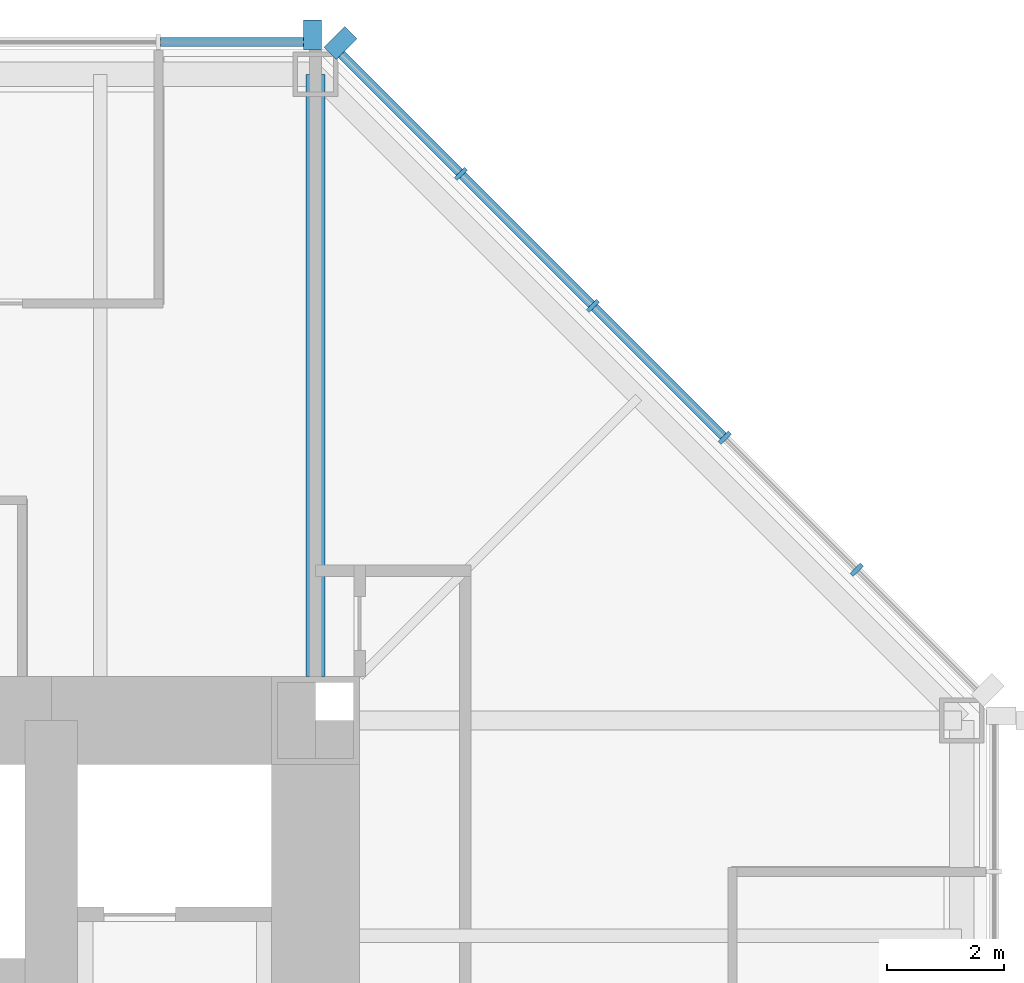
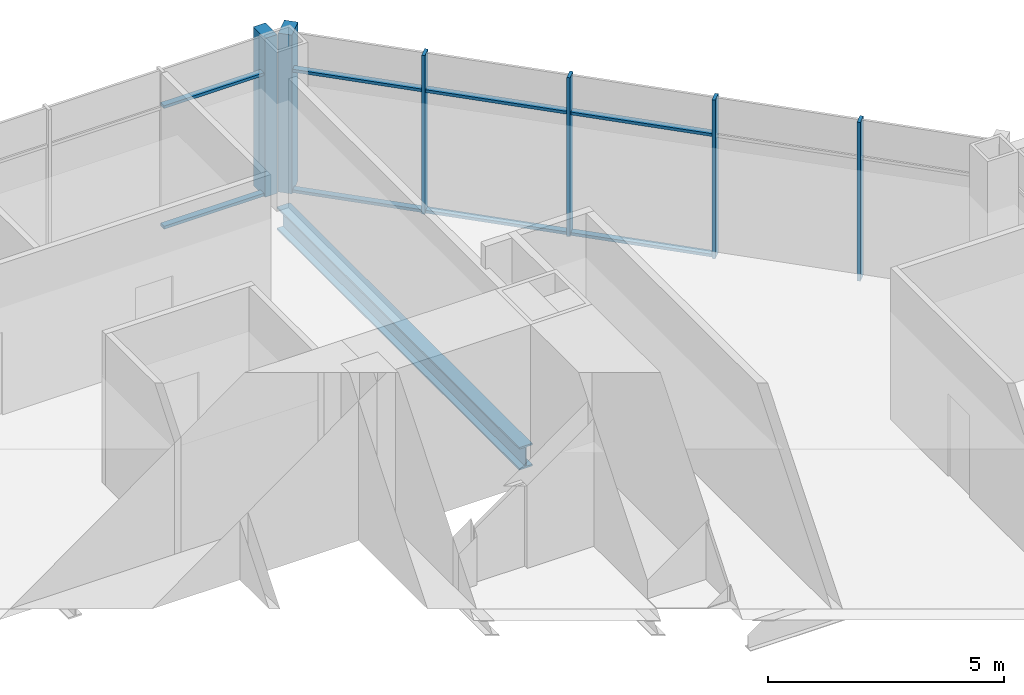
# One storey, part 6 of 12: 14 members, 1 beam, 2 elements without a shape of their own.
"""IFC4 building model written with IfcOpenShell, lengths in metres."""

from ifc_helpers import new_model, si_unit, direction, frame, origin, origin_2d, place, context, subcontext, project, spatial, rectangle, i_section, extrude, material, material_profile, profile_set, type_object, element, aggregate, save


model = new_model("IFC4")

# Units and contexts
model_context = context("Model", 3, precision=1e-05, world=origin(), true_north=direction((0.0, 1.0)))
body_context = subcontext(model_context, "Body", "Model", "MODEL_VIEW")
ifc_project = project(units=[si_unit("LENGTHUNIT", "METRE"), si_unit("AREAUNIT", "SQUARE_METRE"), si_unit("VOLUMEUNIT", "CUBIC_METRE"), si_unit("PLANEANGLEUNIT", "RADIAN"), si_unit("MASSUNIT", "GRAM", prefix="KILO")], contexts=[model_context])

# Site, building, storey
site_placement = place(None, origin())
site = spatial("IfcSite", under=ifc_project, at=site_placement, CompositionType="ELEMENT")
building_placement = place(site_placement, origin())
building = spatial("IfcBuilding", under=site, at=building_placement, Name="Trevanion Tower", CompositionType="ELEMENT")
storey_placement = place(building_placement, frame((0.0, 0.0, 125.39990234375)))
storey = spatial("IfcBuildingStorey", under=building, at=storey_placement, Name="L29", CompositionType="ELEMENT", Elevation=125.39990234375)

# Curtain wall, members
ifc_material_1 = material(Name="Aluminium and glass", Category="aluminium")
curtain_wall_type = type_object("IfcCurtainWallType", Name="CW2 curtain wall", PredefinedType="USERDEFINED", material=ifc_material_1)
curtain_wall_1_placement = place(storey_placement, origin())
curtain_wall_1 = element("IfcCurtainWall", 1, at=curtain_wall_1_placement, inside=storey, type_object=curtain_wall_type, Name="CW2 L29 1", ObjectType="UNITISED CURTAIN WALL", PredefinedType="USERDEFINED")
ifc_material_2 = material(Name="Aluminium extrusion, anodised bronze", Category="aluminium")
ifc_material_profile_1 = material_profile(ifc_material_2, rectangle(XDim=0.074951171875, YDim=0.25, at=origin_2d()), Name="CW2 mullion")
ifc_profile_set_1 = profile_set([ifc_material_profile_1], Name="Aluminium extrusion, anodised bronze")
member_type_1 = type_object("IfcMemberType", Name="CW2 mullion", PredefinedType="MULLION", material=ifc_profile_set_1)
member_1_placement = place(storey_placement, frame((20.2119140625, 13.56591796875, -0.18994140625), z_axis=(0.0, 0.0, 1.0), x_axis=(-0.707106781187, 0.707106781187, 0.0)))
member_1 = element("IfcMember", 2, at=member_1_placement, type_object=member_type_1, Name="CW2 mullion 2", PredefinedType="MULLION", context=body_context, shape_type="SweptSolid", body=[
    extrude(rectangle(XDim=0.074951171875, YDim=0.25, at=origin_2d()), origin(), (0.0, 0.0, 1.0), 4.10009765625),
])
member_2_placement = place(storey_placement, frame((17.966064453125, 15.811767578125, -0.18994140625), z_axis=(0.0, 0.0, 1.0), x_axis=(-0.707106781187, 0.707106781187, 0.0)))
member_2 = element("IfcMember", 3, at=member_2_placement, type_object=member_type_1, Name="CW2 mullion 3", PredefinedType="MULLION", context=body_context, shape_type="SweptSolid", body=[
    extrude(rectangle(XDim=0.074951171875, YDim=0.25, at=origin_2d()), origin(), (0.0, 0.0, 1.0), 4.10009765625),
])
member_3_placement = place(storey_placement, frame((15.719970703125, 18.057861328125, -0.18994140625), z_axis=(0.0, 0.0, 1.0), x_axis=(-0.707106781187, 0.707106781187, 0.0)))
member_3 = element("IfcMember", 4, at=member_3_placement, type_object=member_type_1, Name="CW2 mullion 4", PredefinedType="MULLION", context=body_context, shape_type="SweptSolid", body=[
    extrude(rectangle(XDim=0.074951171875, YDim=0.25, at=origin_2d()), origin(), (0.0, 0.0, 1.0), 4.10009765625),
])
member_4_placement = place(storey_placement, frame((13.473876953125, 20.303955078125, -0.18994140625), z_axis=(0.0, 0.0, 1.0), x_axis=(-0.707106781187, 0.707106781187, 0.0)))
member_4 = element("IfcMember", 5, at=member_4_placement, type_object=member_type_1, Name="CW2 mullion 5", PredefinedType="MULLION", context=body_context, shape_type="SweptSolid", body=[
    extrude(rectangle(XDim=0.074951171875, YDim=0.25, at=origin_2d()), origin(), (0.0, 0.0, 1.0), 4.10009765625),
])
ifc_material_3 = material(Name="Aluminium extrusion, anodised bronze", Category="aluminium")
ifc_material_profile_2 = material_profile(ifc_material_3, rectangle(XDim=0.300048828125, YDim=0.5, at=origin_2d()), Name="CW2 pier mullion")
ifc_profile_set_2 = profile_set([ifc_material_profile_2], Name="Aluminium extrusion, anodised bronze")
member_type_2 = type_object("IfcMemberType", Name="CW2 pier mullion", PredefinedType="MULLION", material=ifc_profile_set_2)
member_5_placement = place(storey_placement, frame((11.42236328125, 22.5322265625, -0.18994140625), z_axis=(0.0, 0.0, 1.0), x_axis=(-0.707106781187, 0.707106781187, 0.0)))
member_5 = element("IfcMember", 6, at=member_5_placement, type_object=member_type_2, Name="CW2 pier mullion 6", PredefinedType="MULLION", context=body_context, shape_type="SweptSolid", body=[
    extrude(rectangle(XDim=0.300048828125, YDim=0.5, at=origin_2d()), origin(), (0.0, 0.0, 1.0), 4.10009765625),
])

# Curtain wall, member
curtain_wall_2_placement = place(storey_placement, origin())
curtain_wall_2 = element("IfcCurtainWall", 7, at=curtain_wall_2_placement, inside=storey, type_object=curtain_wall_type, Name="CW2 L29 2", ObjectType="UNITISED CURTAIN WALL", PredefinedType="USERDEFINED")
member_6_placement = place(storey_placement, frame((10.94775390625, 22.675048828125, -0.18994140625), z_axis=(0.0, 0.0, 1.0), x_axis=(-1.0, 0.0, 0.0)))
member_6 = element("IfcMember", 8, at=member_6_placement, type_object=member_type_2, Name="CW2 pier mullion 1", PredefinedType="MULLION", context=body_context, shape_type="SweptSolid", body=[
    extrude(rectangle(XDim=0.300048828125, YDim=0.5, at=origin_2d()), origin(), (0.0, 0.0, 1.0), 4.10009765625),
])

# Member
ifc_material_4 = material(Name="Aluminium extrusion, anodised bronze", Category="aluminium")
ifc_material_profile_3 = material_profile(ifc_material_4, rectangle(XDim=0.14990234375, YDim=0.074951171875, at=origin_2d()), Name="CW2 transom")
ifc_profile_set_3 = profile_set([ifc_material_profile_3], Name="Aluminium extrusion, anodised bronze")
member_type_3 = type_object("IfcMemberType", Name="CW2 transom", PredefinedType="USERDEFINED", material=ifc_profile_set_3)
member_7_placement = place(storey_placement, frame((17.939453125, 15.83837890625, -0.15234375), z_axis=(-0.707106781187, 0.707106781187, 0.0), x_axis=(-0.707106781187, -0.707106781187, 0.0)))
member_7 = element("IfcMember", 9, at=member_7_placement, type_object=member_type_3, Name="CW2 transom 3.1", ObjectType="TRANSOM", PredefinedType="USERDEFINED", context=body_context, shape_type="SweptSolid", body=[
    extrude(rectangle(XDim=0.14990234375, YDim=0.074951171875, at=origin_2d()), origin(), (0.0, 0.0, 1.0), 3.1015625),
])

member_8_placement = place(storey_placement, frame((17.939453125, 15.83837890625, 2.960205078125), z_axis=(-0.707106781187, 0.707106781187, 0.0), x_axis=(-0.707106781187, -0.707106781187, 0.0)))
member_8 = element("IfcMember", 10, at=member_8_placement, type_object=member_type_3, Name="CW2 transom 3.2", ObjectType="TRANSOM", PredefinedType="USERDEFINED", context=body_context, shape_type="SweptSolid", body=[
    extrude(rectangle(XDim=0.14990234375, YDim=0.074951171875, at=origin_2d()), origin(), (0.0, 0.0, 1.0), 3.1015625),
])

member_9_placement = place(storey_placement, frame((15.693359375, 18.08447265625, -0.15234375), z_axis=(-0.707106781187, 0.707106781187, 0.0), x_axis=(-0.707106781187, -0.707106781187, 0.0)))
member_9 = element("IfcMember", 11, at=member_9_placement, type_object=member_type_3, Name="CW2 transom 4.1", ObjectType="TRANSOM", PredefinedType="USERDEFINED", context=body_context, shape_type="SweptSolid", body=[
    extrude(rectangle(XDim=0.14990234375, YDim=0.074951171875, at=origin_2d()), origin(), (0.0, 0.0, 1.0), 3.10107421875),
])

member_10_placement = place(storey_placement, frame((15.693359375, 18.08447265625, 2.960205078125), z_axis=(-0.707106781187, 0.707106781187, 0.0), x_axis=(-0.707106781187, -0.707106781187, 0.0)))
member_10 = element("IfcMember", 12, at=member_10_placement, type_object=member_type_3, Name="CW2 transom 4.2", ObjectType="TRANSOM", PredefinedType="USERDEFINED", context=body_context, shape_type="SweptSolid", body=[
    extrude(rectangle(XDim=0.14990234375, YDim=0.074951171875, at=origin_2d()), origin(), (0.0, 0.0, 1.0), 3.10107421875),
])

member_11_placement = place(storey_placement, frame((13.447509765625, 20.33056640625, -0.15234375), z_axis=(-0.707149778163, 0.707063781595, 0.0), x_axis=(-0.707063781595, -0.707149778163, 0.0)))
member_11 = element("IfcMember", 13, at=member_11_placement, type_object=member_type_3, Name="CW2 transom 5.1", ObjectType="TRANSOM", PredefinedType="USERDEFINED", context=body_context, shape_type="SweptSolid", body=[
    extrude(rectangle(XDim=0.14990234375, YDim=0.074951171875, at=origin_2d()), origin(), (0.0, 0.0, 1.0), 2.8388671875),
])

member_12_placement = place(storey_placement, frame((13.447509765625, 20.33056640625, 2.960205078125), z_axis=(-0.707149778163, 0.707063781595, 0.0), x_axis=(-0.707063781595, -0.707149778163, 0.0)))
member_12 = element("IfcMember", 14, at=member_12_placement, type_object=member_type_3, Name="CW2 transom 5.2", ObjectType="TRANSOM", PredefinedType="USERDEFINED", context=body_context, shape_type="SweptSolid", body=[
    extrude(rectangle(XDim=0.14990234375, YDim=0.074951171875, at=origin_2d()), origin(), (0.0, 0.0, 1.0), 2.8388671875),
])

aggregate(curtain_wall_1, [member_1, member_2, member_3, member_4, member_5, member_7, member_8, member_9, member_10, member_11, member_12])

member_13_placement = place(storey_placement, frame((10.7978515625, 22.550048828125, -0.15234375), z_axis=(-1.0, 0.0, 0.0), x_axis=(0.0, -1.0, 0.0)))
member_13 = element("IfcMember", 15, at=member_13_placement, type_object=member_type_3, Name="CW2 transom 1.1", ObjectType="TRANSOM", PredefinedType="USERDEFINED", context=body_context, shape_type="SweptSolid", body=[
    extrude(rectangle(XDim=0.14990234375, YDim=0.074951171875, at=origin_2d()), origin(), (0.0, 0.0, 1.0), 2.43701171875),
])

member_14_placement = place(storey_placement, frame((10.7978515625, 22.550048828125, 2.960205078125), z_axis=(-1.0, 0.0, 0.0), x_axis=(0.0, -1.0, 0.0)))
member_14 = element("IfcMember", 16, at=member_14_placement, type_object=member_type_3, Name="CW2 transom 1.2", ObjectType="TRANSOM", PredefinedType="USERDEFINED", context=body_context, shape_type="SweptSolid", body=[
    extrude(rectangle(XDim=0.14990234375, YDim=0.074951171875, at=origin_2d()), origin(), (0.0, 0.0, 1.0), 2.43701171875),
])

aggregate(curtain_wall_2, [member_6, member_13, member_14])

# Beam
ifc_material_5 = material(Name="Steel ASTM A992 Grade 50", Category="steel")
ifc_material_profile_4 = material_profile(ifc_material_5, i_section(OverallWidth=0.320068359375, OverallDepth=0.584228515625, WebThickness=0.023193359375, FlangeThickness=0.04150390625, at=origin_2d()), Name="W21X201")
ifc_profile_set_4 = profile_set([ifc_material_profile_4], Name="Steel ASTM A992 Grade 50")
beam_type = type_object("IfcBeamType", Name="G4 W21X201", PredefinedType="BEAM", material=ifc_profile_set_4)
beam_placement = place(storey_placement, frame((11.0, 11.75, -0.48193359375), z_axis=(0.0, 1.0, 0.0), x_axis=(-1.0, 0.0, 0.0)))
element("IfcBeam", 17, at=beam_placement, inside=storey, type_object=beam_type, Name="G4 L29", PredefinedType="BEAM", context=body_context, shape_type="SweptSolid", body=[
    extrude(i_section(OverallWidth=0.320068359375, OverallDepth=0.584228515625, WebThickness=0.023193359375, FlangeThickness=0.04150390625, at=origin_2d()), origin(), (0.0, 0.0, 1.0), 10.25),
])

save(model, "model.ifc")
